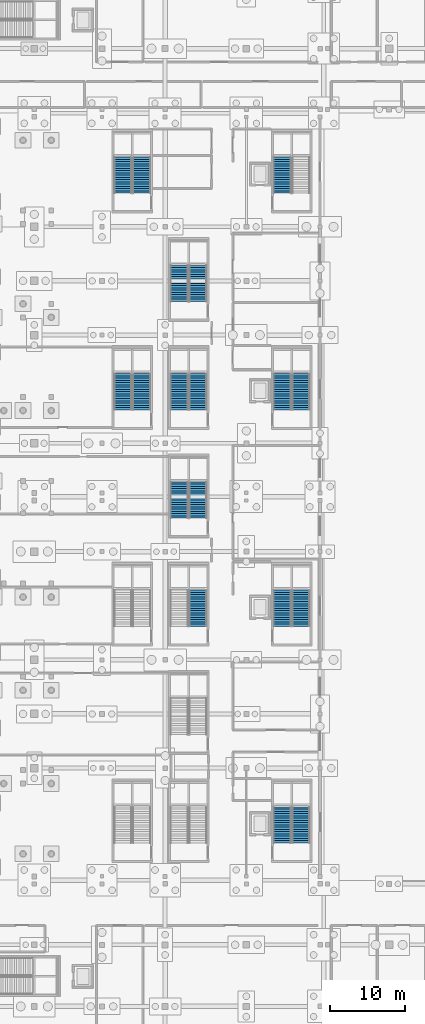
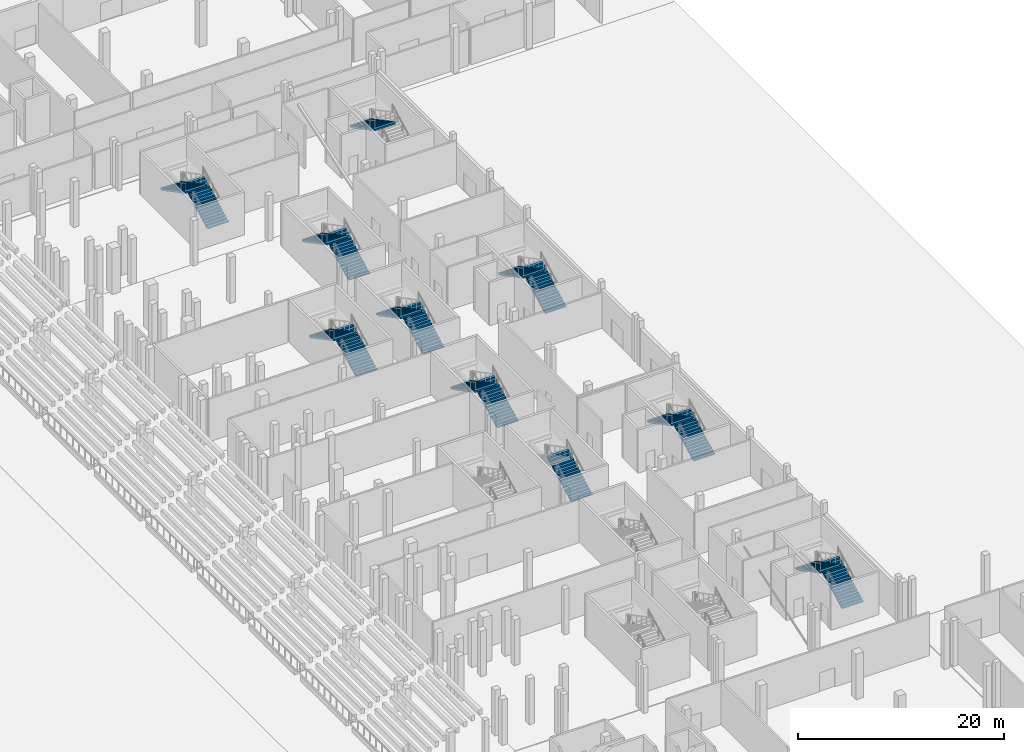
# One storey, part 54 of 89: 18 stair flights, 10 elements without a shape of their own.
"""IFC4 building model written with IfcOpenShell, lengths in metres."""

from ifc_helpers import new_model, si_unit, direction, frame, origin, place, context, subcontext, project, spatial, polyline, outline, extrude, material, type_object, element, aggregate, save


model = new_model("IFC4")

# Units and contexts
model_context = context("Model", 3, precision=1e-05, world=origin(), true_north=direction((0.0, 1.0)))
body_context = subcontext(model_context, "Body", "Model", "MODEL_VIEW")
ifc_project = project(units=[si_unit("LENGTHUNIT", "METRE"), si_unit("AREAUNIT", "SQUARE_METRE"), si_unit("VOLUMEUNIT", "CUBIC_METRE"), si_unit("PLANEANGLEUNIT", "RADIAN"), si_unit("MASSUNIT", "GRAM", prefix="KILO")], contexts=[model_context])

# Site, building, storey
site_placement = place(None, origin())
site = spatial("IfcSite", under=ifc_project, at=site_placement, CompositionType="ELEMENT")
building_placement = place(site_placement, origin())
building = spatial("IfcBuilding", under=site, at=building_placement, Name="Koshinbarg Plaza Stadium", CompositionType="ELEMENT")
storey_placement = place(building_placement, origin())
storey = spatial("IfcBuildingStorey", under=building, at=storey_placement, Name="L00", CompositionType="ELEMENT", Elevation=0.0)

# Stair, stair flights
ifc_material = material(Name="Concrete C35/45", Category="concrete")
stair_type_1 = type_object("IfcStairType", Name="ST-CORE-54", PredefinedType="HALF_TURN_STAIR", material=ifc_material)
stair_1_placement = place(storey_placement, origin())
stair_1 = element("IfcStair", 1, at=stair_1_placement, inside=storey, type_object=stair_type_1, Name="L00 Protected Exit Stair C07", PredefinedType="HALF_TURN_STAIR")
stair_flight_type = type_object("IfcStairFlightType", Name="SFL-CORE-54", PredefinedType="STRAIGHT", material=ifc_material)
stair_flight_1_placement = place(storey_placement, frame((215.889892578125, 29.9599609375, 0.0), z_axis=(0.0, 0.0, 1.0), x_axis=(0.0, 1.0, 0.0)))
stair_flight_1 = element("IfcStairFlight", 2, at=stair_flight_1_placement, type_object=stair_flight_type, Name="L00 Protected Exit Stair C07 flight 073", NumberOfRisers=17, NumberOfTreads=16, PredefinedType="STRAIGHT", RiserHeight=0.158823529, TreadLength=0.3, context=body_context, shape_type="SweptSolid", body=[
    extrude(outline(polyline([(0.0, 0.0), (0.0, 0.158935546875), (0.300048828125, 0.158935546875), (0.300048828125, 0.317626953125), (0.60009765625, 0.317626953125), (0.60009765625, 0.4765625), (0.89990234375, 0.4765625), (0.89990234375, 0.63525390625), (1.199951171875, 0.63525390625), (1.199951171875, 0.794189453125), (1.5, 0.794189453125), (1.5, 0.952880859375), (1.800048828125, 0.952880859375), (1.800048828125, 1.11181640625), (2.10009765625, 1.11181640625), (2.10009765625, 1.2705078125), (2.39990234375, 1.2705078125), (2.39990234375, 1.429443359375), (2.699951171875, 1.429443359375), (2.699951171875, 1.588134765625), (3.0, 1.588134765625), (3.0, 1.7470703125), (3.300048828125, 1.7470703125), (3.300048828125, 1.90576171875), (3.60009765625, 1.90576171875), (3.60009765625, 2.064697265625), (3.89990234375, 2.064697265625), (3.89990234375, 2.2236328125), (4.199951171875, 2.2236328125), (4.199951171875, 2.38232421875), (4.5, 2.38232421875), (4.5, 2.541259765625), (4.800048828125, 2.541259765625), (4.800048828125, 2.699951171875), (4.800048828125, 2.37158203125), (0.3203125, 0.0), (0.0, 0.0)])), frame((0.0, 1.18017578125, 0.0), z_axis=(0.0, -1.0, 0.0), x_axis=(1.0, 0.0, 0.0)), (0.0, 0.0, 1.0), 2.360107421875),
])
stair_flight_2_placement = place(storey_placement, frame((213.3798828125, 34.760009765625, 2.699951171875), z_axis=(0.0, 0.0, 1.0), x_axis=(0.0, -1.0, 0.0)))
stair_flight_2 = element("IfcStairFlight", 3, at=stair_flight_2_placement, type_object=stair_flight_type, Name="L00 Protected Exit Stair C07 flight 074", NumberOfRisers=17, NumberOfTreads=16, PredefinedType="STRAIGHT", RiserHeight=0.158823529, TreadLength=0.3, context=body_context, shape_type="SweptSolid", body=[
    extrude(outline(polyline([(0.0, 0.0), (0.0, 0.158935546875), (0.300048828125, 0.158935546875), (0.300048828125, 0.317626953125), (0.60009765625, 0.317626953125), (0.60009765625, 0.4765625), (0.89990234375, 0.4765625), (0.89990234375, 0.63525390625), (1.199951171875, 0.63525390625), (1.199951171875, 0.794189453125), (1.5, 0.794189453125), (1.5, 0.952880859375), (1.800048828125, 0.952880859375), (1.800048828125, 1.11181640625), (2.10009765625, 1.11181640625), (2.10009765625, 1.2705078125), (2.39990234375, 1.2705078125), (2.39990234375, 1.429443359375), (2.699951171875, 1.429443359375), (2.699951171875, 1.588134765625), (3.0, 1.588134765625), (3.0, 1.7470703125), (3.300048828125, 1.7470703125), (3.300048828125, 1.90576171875), (3.60009765625, 1.90576171875), (3.60009765625, 2.064697265625), (3.89990234375, 2.064697265625), (3.89990234375, 2.2236328125), (4.199951171875, 2.2236328125), (4.199951171875, 2.38232421875), (4.5, 2.38232421875), (4.5, 2.541259765625), (4.800048828125, 2.541259765625), (4.800048828125, 2.699951171875), (4.800048828125, 2.37158203125), (0.3203125, 0.0), (0.0, 0.0)])), frame((0.0, 1.18017578125, 0.0), z_axis=(0.0, -1.0, 0.0), x_axis=(1.0, 0.0, 0.0)), (0.0, 0.0, 1.0), 2.360107421875),
])
aggregate(stair_1, [stair_flight_1, stair_flight_2])

stair_2_placement = place(storey_placement, origin())
stair_2 = element("IfcStair", 4, at=stair_2_placement, inside=storey, type_object=stair_type_1, Name="L00 Protected Exit Stair C08", PredefinedType="HALF_TURN_STAIR")
stair_flight_3_placement = place(storey_placement, frame((215.889892578125, 58.760009765625, 0.0), z_axis=(0.0, 0.0, 1.0), x_axis=(0.0, 1.0, 0.0)))
stair_flight_3 = element("IfcStairFlight", 5, at=stair_flight_3_placement, type_object=stair_flight_type, Name="L00 Protected Exit Stair C08 flight 083", NumberOfRisers=17, NumberOfTreads=16, PredefinedType="STRAIGHT", RiserHeight=0.158823529, TreadLength=0.3, context=body_context, shape_type="SweptSolid", body=[
    extrude(outline(polyline([(0.0, 0.0), (0.0, 0.158935546875), (0.300048828125, 0.158935546875), (0.300048828125, 0.317626953125), (0.60009765625, 0.317626953125), (0.60009765625, 0.4765625), (0.89990234375, 0.4765625), (0.89990234375, 0.63525390625), (1.199951171875, 0.63525390625), (1.199951171875, 0.794189453125), (1.5, 0.794189453125), (1.5, 0.952880859375), (1.800048828125, 0.952880859375), (1.800048828125, 1.11181640625), (2.10009765625, 1.11181640625), (2.10009765625, 1.2705078125), (2.39990234375, 1.2705078125), (2.39990234375, 1.429443359375), (2.699951171875, 1.429443359375), (2.699951171875, 1.588134765625), (3.0, 1.588134765625), (3.0, 1.7470703125), (3.300048828125, 1.7470703125), (3.300048828125, 1.90576171875), (3.60009765625, 1.90576171875), (3.60009765625, 2.064697265625), (3.89990234375, 2.064697265625), (3.89990234375, 2.2236328125), (4.199951171875, 2.2236328125), (4.199951171875, 2.38232421875), (4.5, 2.38232421875), (4.5, 2.541259765625), (4.800048828125, 2.541259765625), (4.800048828125, 2.699951171875), (4.800048828125, 2.37158203125), (0.3203125, 0.0), (0.0, 0.0)])), frame((0.0, 1.18017578125, 0.0), z_axis=(0.0, -1.0, 0.0), x_axis=(1.0, 0.0, 0.0)), (0.0, 0.0, 1.0), 2.360107421875),
])
stair_flight_4_placement = place(storey_placement, frame((213.3798828125, 63.56005859375, 2.699951171875), z_axis=(0.0, 0.0, 1.0), x_axis=(0.0, -1.0, 0.0)))
stair_flight_4 = element("IfcStairFlight", 6, at=stair_flight_4_placement, type_object=stair_flight_type, Name="L00 Protected Exit Stair C08 flight 084", NumberOfRisers=17, NumberOfTreads=16, PredefinedType="STRAIGHT", RiserHeight=0.158823529, TreadLength=0.3, context=body_context, shape_type="SweptSolid", body=[
    extrude(outline(polyline([(0.0, 0.0), (0.0, 0.158935546875), (0.300048828125, 0.158935546875), (0.300048828125, 0.317626953125), (0.60009765625, 0.317626953125), (0.60009765625, 0.4765625), (0.89990234375, 0.4765625), (0.89990234375, 0.63525390625), (1.199951171875, 0.63525390625), (1.199951171875, 0.794189453125), (1.5, 0.794189453125), (1.5, 0.952880859375), (1.800048828125, 0.952880859375), (1.800048828125, 1.11181640625), (2.10009765625, 1.11181640625), (2.10009765625, 1.2705078125), (2.39990234375, 1.2705078125), (2.39990234375, 1.429443359375), (2.699951171875, 1.429443359375), (2.699951171875, 1.588134765625), (3.0, 1.588134765625), (3.0, 1.7470703125), (3.300048828125, 1.7470703125), (3.300048828125, 1.90576171875), (3.60009765625, 1.90576171875), (3.60009765625, 2.064697265625), (3.89990234375, 2.064697265625), (3.89990234375, 2.2236328125), (4.199951171875, 2.2236328125), (4.199951171875, 2.38232421875), (4.5, 2.38232421875), (4.5, 2.541259765625), (4.800048828125, 2.541259765625), (4.800048828125, 2.699951171875), (4.800048828125, 2.37158203125), (0.3203125, 0.0), (0.0, 0.0)])), frame((0.0, 1.18017578125, 0.0), z_axis=(0.0, -1.0, 0.0), x_axis=(1.0, 0.0, 0.0)), (0.0, 0.0, 1.0), 2.360107421875),
])
aggregate(stair_2, [stair_flight_3, stair_flight_4])

stair_3_placement = place(storey_placement, origin())
stair_3 = element("IfcStair", 7, at=stair_3_placement, inside=storey, type_object=stair_type_1, Name="L00 Protected Exit Stair C09", PredefinedType="HALF_TURN_STAIR")
stair_flight_5_placement = place(storey_placement, frame((215.889892578125, 87.56005859375, 0.0), z_axis=(0.0, 0.0, 1.0), x_axis=(0.0, 1.0, 0.0)))
stair_flight_5 = element("IfcStairFlight", 8, at=stair_flight_5_placement, type_object=stair_flight_type, Name="L00 Protected Exit Stair C09 flight 093", NumberOfRisers=17, NumberOfTreads=16, PredefinedType="STRAIGHT", RiserHeight=0.158823529, TreadLength=0.3, context=body_context, shape_type="SweptSolid", body=[
    extrude(outline(polyline([(0.0, 0.0), (0.0, 0.158935546875), (0.300048828125, 0.158935546875), (0.300048828125, 0.317626953125), (0.60009765625, 0.317626953125), (0.60009765625, 0.4765625), (0.89990234375, 0.4765625), (0.89990234375, 0.63525390625), (1.199951171875, 0.63525390625), (1.199951171875, 0.794189453125), (1.5, 0.794189453125), (1.5, 0.952880859375), (1.800048828125, 0.952880859375), (1.800048828125, 1.11181640625), (2.10009765625, 1.11181640625), (2.10009765625, 1.2705078125), (2.39990234375, 1.2705078125), (2.39990234375, 1.429443359375), (2.699951171875, 1.429443359375), (2.699951171875, 1.588134765625), (3.0, 1.588134765625), (3.0, 1.7470703125), (3.300048828125, 1.7470703125), (3.300048828125, 1.90576171875), (3.60009765625, 1.90576171875), (3.60009765625, 2.064697265625), (3.89990234375, 2.064697265625), (3.89990234375, 2.2236328125), (4.199951171875, 2.2236328125), (4.199951171875, 2.38232421875), (4.5, 2.38232421875), (4.5, 2.541259765625), (4.800048828125, 2.541259765625), (4.800048828125, 2.699951171875), (4.800048828125, 2.37158203125), (0.3203125, 0.0), (0.0, 0.0)])), frame((0.0, 1.18017578125, 0.0), z_axis=(0.0, -1.0, 0.0), x_axis=(1.0, 0.0, 0.0)), (0.0, 0.0, 1.0), 2.360107421875),
])
stair_flight_6_placement = place(storey_placement, frame((213.3798828125, 92.360107421875, 2.699951171875), z_axis=(0.0, 0.0, 1.0), x_axis=(0.0, -1.0, 0.0)))
stair_flight_6 = element("IfcStairFlight", 9, at=stair_flight_6_placement, type_object=stair_flight_type, Name="L00 Protected Exit Stair C09 flight 094", NumberOfRisers=17, NumberOfTreads=16, PredefinedType="STRAIGHT", RiserHeight=0.158823529, TreadLength=0.3, context=body_context, shape_type="SweptSolid", body=[
    extrude(outline(polyline([(0.0, 0.0), (0.0, 0.158935546875), (0.300048828125, 0.158935546875), (0.300048828125, 0.317626953125), (0.60009765625, 0.317626953125), (0.60009765625, 0.4765625), (0.89990234375, 0.4765625), (0.89990234375, 0.63525390625), (1.199951171875, 0.63525390625), (1.199951171875, 0.794189453125), (1.5, 0.794189453125), (1.5, 0.952880859375), (1.800048828125, 0.952880859375), (1.800048828125, 1.11181640625), (2.10009765625, 1.11181640625), (2.10009765625, 1.2705078125), (2.39990234375, 1.2705078125), (2.39990234375, 1.429443359375), (2.699951171875, 1.429443359375), (2.699951171875, 1.588134765625), (3.0, 1.588134765625), (3.0, 1.7470703125), (3.300048828125, 1.7470703125), (3.300048828125, 1.90576171875), (3.60009765625, 1.90576171875), (3.60009765625, 2.064697265625), (3.89990234375, 2.064697265625), (3.89990234375, 2.2236328125), (4.199951171875, 2.2236328125), (4.199951171875, 2.38232421875), (4.5, 2.38232421875), (4.5, 2.541259765625), (4.800048828125, 2.541259765625), (4.800048828125, 2.699951171875), (4.800048828125, 2.37158203125), (0.3203125, 0.0), (0.0, 0.0)])), frame((0.0, 1.18017578125, 0.0), z_axis=(0.0, -1.0, 0.0), x_axis=(1.0, 0.0, 0.0)), (0.0, 0.0, 1.0), 2.360107421875),
])
aggregate(stair_3, [stair_flight_5, stair_flight_6])

# Stair, stair flight
stair_4_placement = place(storey_placement, origin())
stair_4 = element("IfcStair", 10, at=stair_4_placement, inside=storey, type_object=stair_type_1, Name="L00 Protected Exit Stair C10", PredefinedType="HALF_TURN_STAIR")
stair_flight_7_placement = place(storey_placement, frame((213.3798828125, 121.159912109375, 2.699951171875), z_axis=(0.0, 0.0, 1.0), x_axis=(0.0, -1.0, 0.0)))
stair_flight_7 = element("IfcStairFlight", 11, at=stair_flight_7_placement, type_object=stair_flight_type, Name="L00 Protected Exit Stair C10 flight 104", NumberOfRisers=17, NumberOfTreads=16, PredefinedType="STRAIGHT", RiserHeight=0.158823529, TreadLength=0.3, context=body_context, shape_type="SweptSolid", body=[
    extrude(outline(polyline([(0.0, 0.0), (0.0, 0.158935546875), (0.300048828125, 0.158935546875), (0.300048828125, 0.317626953125), (0.60009765625, 0.317626953125), (0.60009765625, 0.4765625), (0.89990234375, 0.4765625), (0.89990234375, 0.63525390625), (1.199951171875, 0.63525390625), (1.199951171875, 0.794189453125), (1.5, 0.794189453125), (1.5, 0.952880859375), (1.800048828125, 0.952880859375), (1.800048828125, 1.11181640625), (2.10009765625, 1.11181640625), (2.10009765625, 1.2705078125), (2.39990234375, 1.2705078125), (2.39990234375, 1.429443359375), (2.699951171875, 1.429443359375), (2.699951171875, 1.588134765625), (3.0, 1.588134765625), (3.0, 1.7470703125), (3.300048828125, 1.7470703125), (3.300048828125, 1.90576171875), (3.60009765625, 1.90576171875), (3.60009765625, 2.064697265625), (3.89990234375, 2.064697265625), (3.89990234375, 2.2236328125), (4.199951171875, 2.2236328125), (4.199951171875, 2.38232421875), (4.5, 2.38232421875), (4.5, 2.541259765625), (4.800048828125, 2.541259765625), (4.800048828125, 2.699951171875), (4.800048828125, 2.37158203125), (0.3203125, 0.0), (0.0, 0.0)])), frame((0.0, 1.18017578125, 0.0), z_axis=(0.0, -1.0, 0.0), x_axis=(1.0, 0.0, 0.0)), (0.0, 0.0, 1.0), 2.360107421875),
])
aggregate(stair_4, [stair_flight_7])

stair_type_2 = type_object("IfcStairType", Name="ST-VOM-54", PredefinedType="HALF_TURN_STAIR", material=ifc_material)
stair_5_placement = place(storey_placement, origin())
stair_5 = element("IfcStair", 12, at=stair_5_placement, inside=storey, type_object=stair_type_2, Name="L00 Upper Vomitory Stair VX09", PredefinedType="HALF_TURN_STAIR")
stair_flight_8_placement = place(storey_placement, frame((202.18994140625, 58.760009765625, 0.0), z_axis=(0.0, 0.0, 1.0), x_axis=(0.0, 1.0, 0.0)))
stair_flight_8 = element("IfcStairFlight", 13, at=stair_flight_8_placement, type_object=stair_flight_type, Name="L00 Upper Vomitory Stair VX09 flight 197", NumberOfRisers=17, NumberOfTreads=16, PredefinedType="STRAIGHT", RiserHeight=0.158823529, TreadLength=0.3, context=body_context, shape_type="SweptSolid", body=[
    extrude(outline(polyline([(0.0, 0.0), (0.0, 0.158935546875), (0.300048828125, 0.158935546875), (0.300048828125, 0.317626953125), (0.60009765625, 0.317626953125), (0.60009765625, 0.4765625), (0.89990234375, 0.4765625), (0.89990234375, 0.63525390625), (1.199951171875, 0.63525390625), (1.199951171875, 0.794189453125), (1.5, 0.794189453125), (1.5, 0.952880859375), (1.800048828125, 0.952880859375), (1.800048828125, 1.11181640625), (2.10009765625, 1.11181640625), (2.10009765625, 1.2705078125), (2.39990234375, 1.2705078125), (2.39990234375, 1.429443359375), (2.699951171875, 1.429443359375), (2.699951171875, 1.588134765625), (3.0, 1.588134765625), (3.0, 1.7470703125), (3.300048828125, 1.7470703125), (3.300048828125, 1.90576171875), (3.60009765625, 1.90576171875), (3.60009765625, 2.064697265625), (3.89990234375, 2.064697265625), (3.89990234375, 2.2236328125), (4.199951171875, 2.2236328125), (4.199951171875, 2.38232421875), (4.5, 2.38232421875), (4.5, 2.541259765625), (4.800048828125, 2.541259765625), (4.800048828125, 2.699951171875), (4.800048828125, 2.37158203125), (0.3203125, 0.0), (0.0, 0.0)])), frame((0.0, 1.18017578125, 0.0), z_axis=(0.0, -1.0, 0.0), x_axis=(1.0, 0.0, 0.0)), (0.0, 0.0, 1.0), 2.360107421875),
])
aggregate(stair_5, [stair_flight_8])

# Stair, stair flights
stair_6_placement = place(storey_placement, origin())
stair_6 = element("IfcStair", 14, at=stair_6_placement, inside=storey, type_object=stair_type_2, Name="L00 Upper Vomitory Stair VX10", PredefinedType="HALF_TURN_STAIR")
stair_flight_9_placement = place(storey_placement, frame((202.18994140625, 73.159912109375, 0.0), z_axis=(0.0, 0.0, 1.0), x_axis=(0.0, 1.0, 0.0)))
stair_flight_9 = element("IfcStairFlight", 15, at=stair_flight_9_placement, type_object=stair_flight_type, Name="L00 Upper Vomitory Stair VX10 flight 203", NumberOfRisers=17, NumberOfTreads=16, PredefinedType="STRAIGHT", RiserHeight=0.158823529, TreadLength=0.3, context=body_context, shape_type="SweptSolid", body=[
    extrude(outline(polyline([(0.0, 0.0), (0.0, 0.158935546875), (0.300048828125, 0.158935546875), (0.300048828125, 0.317626953125), (0.60009765625, 0.317626953125), (0.60009765625, 0.4765625), (0.89990234375, 0.4765625), (0.89990234375, 0.63525390625), (1.199951171875, 0.63525390625), (1.199951171875, 0.794189453125), (1.5, 0.794189453125), (1.5, 0.952880859375), (1.800048828125, 0.952880859375), (1.800048828125, 1.11181640625), (2.10009765625, 1.11181640625), (2.10009765625, 1.2705078125), (2.39990234375, 1.2705078125), (2.39990234375, 1.429443359375), (2.699951171875, 1.429443359375), (2.699951171875, 1.588134765625), (3.0, 1.588134765625), (3.0, 1.7470703125), (3.300048828125, 1.7470703125), (3.300048828125, 1.90576171875), (3.60009765625, 1.90576171875), (3.60009765625, 2.064697265625), (3.89990234375, 2.064697265625), (3.89990234375, 2.2236328125), (4.199951171875, 2.2236328125), (4.199951171875, 2.38232421875), (4.5, 2.38232421875), (4.5, 2.541259765625), (4.800048828125, 2.541259765625), (4.800048828125, 2.699951171875), (4.800048828125, 2.37158203125), (0.3203125, 0.0), (0.0, 0.0)])), frame((0.0, 1.18017578125, 0.0), z_axis=(0.0, -1.0, 0.0), x_axis=(1.0, 0.0, 0.0)), (0.0, 0.0, 1.0), 2.360107421875),
])
stair_flight_10_placement = place(storey_placement, frame((199.679931640625, 77.9599609375, 2.699951171875), z_axis=(0.0, 0.0, 1.0), x_axis=(0.0, -1.0, 0.0)))
stair_flight_10 = element("IfcStairFlight", 16, at=stair_flight_10_placement, type_object=stair_flight_type, Name="L00 Upper Vomitory Stair VX10 flight 204", NumberOfRisers=17, NumberOfTreads=16, PredefinedType="STRAIGHT", RiserHeight=0.158823529, TreadLength=0.3, context=body_context, shape_type="SweptSolid", body=[
    extrude(outline(polyline([(0.0, 0.0), (0.0, 0.158935546875), (0.300048828125, 0.158935546875), (0.300048828125, 0.317626953125), (0.60009765625, 0.317626953125), (0.60009765625, 0.4765625), (0.89990234375, 0.4765625), (0.89990234375, 0.63525390625), (1.199951171875, 0.63525390625), (1.199951171875, 0.794189453125), (1.5, 0.794189453125), (1.5, 0.952880859375), (1.800048828125, 0.952880859375), (1.800048828125, 1.11181640625), (2.10009765625, 1.11181640625), (2.10009765625, 1.2705078125), (2.39990234375, 1.2705078125), (2.39990234375, 1.429443359375), (2.699951171875, 1.429443359375), (2.699951171875, 1.588134765625), (3.0, 1.588134765625), (3.0, 1.7470703125), (3.300048828125, 1.7470703125), (3.300048828125, 1.90576171875), (3.60009765625, 1.90576171875), (3.60009765625, 2.064697265625), (3.89990234375, 2.064697265625), (3.89990234375, 2.2236328125), (4.199951171875, 2.2236328125), (4.199951171875, 2.38232421875), (4.5, 2.38232421875), (4.5, 2.541259765625), (4.800048828125, 2.541259765625), (4.800048828125, 2.699951171875), (4.800048828125, 2.37158203125), (0.3203125, 0.0), (0.0, 0.0)])), frame((0.0, 1.18017578125, 0.0), z_axis=(0.0, -1.0, 0.0), x_axis=(1.0, 0.0, 0.0)), (0.0, 0.0, 1.0), 2.360107421875),
])
aggregate(stair_6, [stair_flight_9, stair_flight_10])

stair_7_placement = place(storey_placement, origin())
stair_7 = element("IfcStair", 17, at=stair_7_placement, inside=storey, type_object=stair_type_2, Name="L00 Upper Vomitory Stair VX11", PredefinedType="HALF_TURN_STAIR")
stair_flight_11_placement = place(storey_placement, frame((202.18994140625, 87.56005859375, 0.0), z_axis=(0.0, 0.0, 1.0), x_axis=(0.0, 1.0, 0.0)))
stair_flight_11 = element("IfcStairFlight", 18, at=stair_flight_11_placement, type_object=stair_flight_type, Name="L00 Upper Vomitory Stair VX11 flight 209", NumberOfRisers=17, NumberOfTreads=16, PredefinedType="STRAIGHT", RiserHeight=0.158823529, TreadLength=0.3, context=body_context, shape_type="SweptSolid", body=[
    extrude(outline(polyline([(0.0, 0.0), (0.0, 0.158935546875), (0.300048828125, 0.158935546875), (0.300048828125, 0.317626953125), (0.60009765625, 0.317626953125), (0.60009765625, 0.4765625), (0.89990234375, 0.4765625), (0.89990234375, 0.63525390625), (1.199951171875, 0.63525390625), (1.199951171875, 0.794189453125), (1.5, 0.794189453125), (1.5, 0.952880859375), (1.800048828125, 0.952880859375), (1.800048828125, 1.11181640625), (2.10009765625, 1.11181640625), (2.10009765625, 1.2705078125), (2.39990234375, 1.2705078125), (2.39990234375, 1.429443359375), (2.699951171875, 1.429443359375), (2.699951171875, 1.588134765625), (3.0, 1.588134765625), (3.0, 1.7470703125), (3.300048828125, 1.7470703125), (3.300048828125, 1.90576171875), (3.60009765625, 1.90576171875), (3.60009765625, 2.064697265625), (3.89990234375, 2.064697265625), (3.89990234375, 2.2236328125), (4.199951171875, 2.2236328125), (4.199951171875, 2.38232421875), (4.5, 2.38232421875), (4.5, 2.541259765625), (4.800048828125, 2.541259765625), (4.800048828125, 2.699951171875), (4.800048828125, 2.37158203125), (0.3203125, 0.0), (0.0, 0.0)])), frame((0.0, 1.18017578125, 0.0), z_axis=(0.0, -1.0, 0.0), x_axis=(1.0, 0.0, 0.0)), (0.0, 0.0, 1.0), 2.360107421875),
])
stair_flight_12_placement = place(storey_placement, frame((199.679931640625, 92.360107421875, 2.699951171875), z_axis=(0.0, 0.0, 1.0), x_axis=(0.0, -1.0, 0.0)))
stair_flight_12 = element("IfcStairFlight", 19, at=stair_flight_12_placement, type_object=stair_flight_type, Name="L00 Upper Vomitory Stair VX11 flight 210", NumberOfRisers=17, NumberOfTreads=16, PredefinedType="STRAIGHT", RiserHeight=0.158823529, TreadLength=0.3, context=body_context, shape_type="SweptSolid", body=[
    extrude(outline(polyline([(0.0, 0.0), (0.0, 0.158935546875), (0.300048828125, 0.158935546875), (0.300048828125, 0.317626953125), (0.60009765625, 0.317626953125), (0.60009765625, 0.4765625), (0.89990234375, 0.4765625), (0.89990234375, 0.63525390625), (1.199951171875, 0.63525390625), (1.199951171875, 0.794189453125), (1.5, 0.794189453125), (1.5, 0.952880859375), (1.800048828125, 0.952880859375), (1.800048828125, 1.11181640625), (2.10009765625, 1.11181640625), (2.10009765625, 1.2705078125), (2.39990234375, 1.2705078125), (2.39990234375, 1.429443359375), (2.699951171875, 1.429443359375), (2.699951171875, 1.588134765625), (3.0, 1.588134765625), (3.0, 1.7470703125), (3.300048828125, 1.7470703125), (3.300048828125, 1.90576171875), (3.60009765625, 1.90576171875), (3.60009765625, 2.064697265625), (3.89990234375, 2.064697265625), (3.89990234375, 2.2236328125), (4.199951171875, 2.2236328125), (4.199951171875, 2.38232421875), (4.5, 2.38232421875), (4.5, 2.541259765625), (4.800048828125, 2.541259765625), (4.800048828125, 2.699951171875), (4.800048828125, 2.37158203125), (0.3203125, 0.0), (0.0, 0.0)])), frame((0.0, 1.18017578125, 0.0), z_axis=(0.0, -1.0, 0.0), x_axis=(1.0, 0.0, 0.0)), (0.0, 0.0, 1.0), 2.360107421875),
])
aggregate(stair_7, [stair_flight_11, stair_flight_12])

stair_8_placement = place(storey_placement, origin())
stair_8 = element("IfcStair", 20, at=stair_8_placement, inside=storey, type_object=stair_type_2, Name="L00 Upper Vomitory Stair VX12", PredefinedType="HALF_TURN_STAIR")
stair_flight_13_placement = place(storey_placement, frame((202.18994140625, 101.9599609375, 0.0), z_axis=(0.0, 0.0, 1.0), x_axis=(0.0, 1.0, 0.0)))
stair_flight_13 = element("IfcStairFlight", 21, at=stair_flight_13_placement, type_object=stair_flight_type, Name="L00 Upper Vomitory Stair VX12 flight 215", NumberOfRisers=17, NumberOfTreads=16, PredefinedType="STRAIGHT", RiserHeight=0.158823529, TreadLength=0.3, context=body_context, shape_type="SweptSolid", body=[
    extrude(outline(polyline([(0.0, 0.0), (0.0, 0.158935546875), (0.300048828125, 0.158935546875), (0.300048828125, 0.317626953125), (0.60009765625, 0.317626953125), (0.60009765625, 0.4765625), (0.89990234375, 0.4765625), (0.89990234375, 0.63525390625), (1.199951171875, 0.63525390625), (1.199951171875, 0.794189453125), (1.5, 0.794189453125), (1.5, 0.952880859375), (1.800048828125, 0.952880859375), (1.800048828125, 1.11181640625), (2.10009765625, 1.11181640625), (2.10009765625, 1.2705078125), (2.39990234375, 1.2705078125), (2.39990234375, 1.429443359375), (2.699951171875, 1.429443359375), (2.699951171875, 1.588134765625), (3.0, 1.588134765625), (3.0, 1.7470703125), (3.300048828125, 1.7470703125), (3.300048828125, 1.90576171875), (3.60009765625, 1.90576171875), (3.60009765625, 2.064697265625), (3.89990234375, 2.064697265625), (3.89990234375, 2.2236328125), (4.199951171875, 2.2236328125), (4.199951171875, 2.38232421875), (4.5, 2.38232421875), (4.5, 2.541259765625), (4.800048828125, 2.541259765625), (4.800048828125, 2.699951171875), (4.800048828125, 2.37158203125), (0.3203125, 0.0), (0.0, 0.0)])), frame((0.0, 1.18017578125, 0.0), z_axis=(0.0, -1.0, 0.0), x_axis=(1.0, 0.0, 0.0)), (0.0, 0.0, 1.0), 2.360107421875),
])
stair_flight_14_placement = place(storey_placement, frame((199.679931640625, 106.760009765625, 2.699951171875), z_axis=(0.0, 0.0, 1.0), x_axis=(0.0, -1.0, 0.0)))
stair_flight_14 = element("IfcStairFlight", 22, at=stair_flight_14_placement, type_object=stair_flight_type, Name="L00 Upper Vomitory Stair VX12 flight 216", NumberOfRisers=17, NumberOfTreads=16, PredefinedType="STRAIGHT", RiserHeight=0.158823529, TreadLength=0.3, context=body_context, shape_type="SweptSolid", body=[
    extrude(outline(polyline([(0.0, 0.0), (0.0, 0.158935546875), (0.300048828125, 0.158935546875), (0.300048828125, 0.317626953125), (0.60009765625, 0.317626953125), (0.60009765625, 0.4765625), (0.89990234375, 0.4765625), (0.89990234375, 0.63525390625), (1.199951171875, 0.63525390625), (1.199951171875, 0.794189453125), (1.5, 0.794189453125), (1.5, 0.952880859375), (1.800048828125, 0.952880859375), (1.800048828125, 1.11181640625), (2.10009765625, 1.11181640625), (2.10009765625, 1.2705078125), (2.39990234375, 1.2705078125), (2.39990234375, 1.429443359375), (2.699951171875, 1.429443359375), (2.699951171875, 1.588134765625), (3.0, 1.588134765625), (3.0, 1.7470703125), (3.300048828125, 1.7470703125), (3.300048828125, 1.90576171875), (3.60009765625, 1.90576171875), (3.60009765625, 2.064697265625), (3.89990234375, 2.064697265625), (3.89990234375, 2.2236328125), (4.199951171875, 2.2236328125), (4.199951171875, 2.38232421875), (4.5, 2.38232421875), (4.5, 2.541259765625), (4.800048828125, 2.541259765625), (4.800048828125, 2.699951171875), (4.800048828125, 2.37158203125), (0.3203125, 0.0), (0.0, 0.0)])), frame((0.0, 1.18017578125, 0.0), z_axis=(0.0, -1.0, 0.0), x_axis=(1.0, 0.0, 0.0)), (0.0, 0.0, 1.0), 2.360107421875),
])
aggregate(stair_8, [stair_flight_13, stair_flight_14])

stair_9_placement = place(storey_placement, origin())
stair_9 = element("IfcStair", 23, at=stair_9_placement, inside=storey, type_object=stair_type_2, Name="L00 Lower Vomitory Stair VL07", PredefinedType="HALF_TURN_STAIR")
stair_flight_15_placement = place(storey_placement, frame((194.68994140625, 87.56005859375, 0.0), z_axis=(0.0, 0.0, 1.0), x_axis=(0.0, 1.0, 0.0)))
stair_flight_15 = element("IfcStairFlight", 24, at=stair_flight_15_placement, type_object=stair_flight_type, Name="L00 Lower Vomitory Stair VL07 flight 233", NumberOfRisers=17, NumberOfTreads=16, PredefinedType="STRAIGHT", RiserHeight=0.158823529, TreadLength=0.3, context=body_context, shape_type="SweptSolid", body=[
    extrude(outline(polyline([(0.0, 0.0), (0.0, 0.158935546875), (0.300048828125, 0.158935546875), (0.300048828125, 0.317626953125), (0.60009765625, 0.317626953125), (0.60009765625, 0.4765625), (0.89990234375, 0.4765625), (0.89990234375, 0.63525390625), (1.199951171875, 0.63525390625), (1.199951171875, 0.794189453125), (1.5, 0.794189453125), (1.5, 0.952880859375), (1.800048828125, 0.952880859375), (1.800048828125, 1.11181640625), (2.10009765625, 1.11181640625), (2.10009765625, 1.2705078125), (2.39990234375, 1.2705078125), (2.39990234375, 1.429443359375), (2.699951171875, 1.429443359375), (2.699951171875, 1.588134765625), (3.0, 1.588134765625), (3.0, 1.7470703125), (3.300048828125, 1.7470703125), (3.300048828125, 1.90576171875), (3.60009765625, 1.90576171875), (3.60009765625, 2.064697265625), (3.89990234375, 2.064697265625), (3.89990234375, 2.2236328125), (4.199951171875, 2.2236328125), (4.199951171875, 2.38232421875), (4.5, 2.38232421875), (4.5, 2.541259765625), (4.800048828125, 2.541259765625), (4.800048828125, 2.699951171875), (4.800048828125, 2.37158203125), (0.3203125, 0.0), (0.0, 0.0)])), frame((0.0, 1.18017578125, 0.0), z_axis=(0.0, -1.0, 0.0), x_axis=(1.0, 0.0, 0.0)), (0.0, 0.0, 1.0), 2.360107421875),
])
stair_flight_16_placement = place(storey_placement, frame((192.179931640625, 92.360107421875, 2.699951171875), z_axis=(0.0, 0.0, 1.0), x_axis=(0.0, -1.0, 0.0)))
stair_flight_16 = element("IfcStairFlight", 25, at=stair_flight_16_placement, type_object=stair_flight_type, Name="L00 Lower Vomitory Stair VL07 flight 234", NumberOfRisers=17, NumberOfTreads=16, PredefinedType="STRAIGHT", RiserHeight=0.158823529, TreadLength=0.3, context=body_context, shape_type="SweptSolid", body=[
    extrude(outline(polyline([(0.0, 0.0), (0.0, 0.158935546875), (0.300048828125, 0.158935546875), (0.300048828125, 0.317626953125), (0.60009765625, 0.317626953125), (0.60009765625, 0.4765625), (0.89990234375, 0.4765625), (0.89990234375, 0.63525390625), (1.199951171875, 0.63525390625), (1.199951171875, 0.794189453125), (1.5, 0.794189453125), (1.5, 0.952880859375), (1.800048828125, 0.952880859375), (1.800048828125, 1.11181640625), (2.10009765625, 1.11181640625), (2.10009765625, 1.2705078125), (2.39990234375, 1.2705078125), (2.39990234375, 1.429443359375), (2.699951171875, 1.429443359375), (2.699951171875, 1.588134765625), (3.0, 1.588134765625), (3.0, 1.7470703125), (3.300048828125, 1.7470703125), (3.300048828125, 1.90576171875), (3.60009765625, 1.90576171875), (3.60009765625, 2.064697265625), (3.89990234375, 2.064697265625), (3.89990234375, 2.2236328125), (4.199951171875, 2.2236328125), (4.199951171875, 2.38232421875), (4.5, 2.38232421875), (4.5, 2.541259765625), (4.800048828125, 2.541259765625), (4.800048828125, 2.699951171875), (4.800048828125, 2.37158203125), (0.3203125, 0.0), (0.0, 0.0)])), frame((0.0, 1.18017578125, 0.0), z_axis=(0.0, -1.0, 0.0), x_axis=(1.0, 0.0, 0.0)), (0.0, 0.0, 1.0), 2.360107421875),
])
aggregate(stair_9, [stair_flight_15, stair_flight_16])

stair_10_placement = place(storey_placement, origin())
stair_10 = element("IfcStair", 26, at=stair_10_placement, inside=storey, type_object=stair_type_2, Name="L00 Lower Vomitory Stair VL08", PredefinedType="HALF_TURN_STAIR")
stair_flight_17_placement = place(storey_placement, frame((194.68994140625, 116.360107421875, 0.0), z_axis=(0.0, 0.0, 1.0), x_axis=(0.0, 1.0, 0.0)))
stair_flight_17 = element("IfcStairFlight", 27, at=stair_flight_17_placement, type_object=stair_flight_type, Name="L00 Lower Vomitory Stair VL08 flight 235", NumberOfRisers=17, NumberOfTreads=16, PredefinedType="STRAIGHT", RiserHeight=0.158823529, TreadLength=0.3, context=body_context, shape_type="SweptSolid", body=[
    extrude(outline(polyline([(0.0, 0.0), (0.0, 0.158935546875), (0.300048828125, 0.158935546875), (0.300048828125, 0.317626953125), (0.60009765625, 0.317626953125), (0.60009765625, 0.4765625), (0.89990234375, 0.4765625), (0.89990234375, 0.63525390625), (1.199951171875, 0.63525390625), (1.199951171875, 0.794189453125), (1.5, 0.794189453125), (1.5, 0.952880859375), (1.800048828125, 0.952880859375), (1.800048828125, 1.11181640625), (2.10009765625, 1.11181640625), (2.10009765625, 1.2705078125), (2.39990234375, 1.2705078125), (2.39990234375, 1.429443359375), (2.699951171875, 1.429443359375), (2.699951171875, 1.588134765625), (3.0, 1.588134765625), (3.0, 1.7470703125), (3.300048828125, 1.7470703125), (3.300048828125, 1.90576171875), (3.60009765625, 1.90576171875), (3.60009765625, 2.064697265625), (3.89990234375, 2.064697265625), (3.89990234375, 2.2236328125), (4.199951171875, 2.2236328125), (4.199951171875, 2.38232421875), (4.5, 2.38232421875), (4.5, 2.541259765625), (4.800048828125, 2.541259765625), (4.800048828125, 2.699951171875), (4.800048828125, 2.37158203125), (0.3203125, 0.0), (0.0, 0.0)])), frame((0.0, 1.18017578125, 0.0), z_axis=(0.0, -1.0, 0.0), x_axis=(1.0, 0.0, 0.0)), (0.0, 0.0, 1.0), 2.360107421875),
])
stair_flight_18_placement = place(storey_placement, frame((192.179931640625, 121.159912109375, 2.699951171875), z_axis=(0.0, 0.0, 1.0), x_axis=(0.0, -1.0, 0.0)))
stair_flight_18 = element("IfcStairFlight", 28, at=stair_flight_18_placement, type_object=stair_flight_type, Name="L00 Lower Vomitory Stair VL08 flight 236", NumberOfRisers=17, NumberOfTreads=16, PredefinedType="STRAIGHT", RiserHeight=0.158823529, TreadLength=0.3, context=body_context, shape_type="SweptSolid", body=[
    extrude(outline(polyline([(0.0, 0.0), (0.0, 0.158935546875), (0.300048828125, 0.158935546875), (0.300048828125, 0.317626953125), (0.60009765625, 0.317626953125), (0.60009765625, 0.4765625), (0.89990234375, 0.4765625), (0.89990234375, 0.63525390625), (1.199951171875, 0.63525390625), (1.199951171875, 0.794189453125), (1.5, 0.794189453125), (1.5, 0.952880859375), (1.800048828125, 0.952880859375), (1.800048828125, 1.11181640625), (2.10009765625, 1.11181640625), (2.10009765625, 1.2705078125), (2.39990234375, 1.2705078125), (2.39990234375, 1.429443359375), (2.699951171875, 1.429443359375), (2.699951171875, 1.588134765625), (3.0, 1.588134765625), (3.0, 1.7470703125), (3.300048828125, 1.7470703125), (3.300048828125, 1.90576171875), (3.60009765625, 1.90576171875), (3.60009765625, 2.064697265625), (3.89990234375, 2.064697265625), (3.89990234375, 2.2236328125), (4.199951171875, 2.2236328125), (4.199951171875, 2.38232421875), (4.5, 2.38232421875), (4.5, 2.541259765625), (4.800048828125, 2.541259765625), (4.800048828125, 2.699951171875), (4.800048828125, 2.37158203125), (0.3203125, 0.0), (0.0, 0.0)])), frame((0.0, 1.18017578125, 0.0), z_axis=(0.0, -1.0, 0.0), x_axis=(1.0, 0.0, 0.0)), (0.0, 0.0, 1.0), 2.360107421875),
])
aggregate(stair_10, [stair_flight_17, stair_flight_18])

save(model, "model.ifc")
